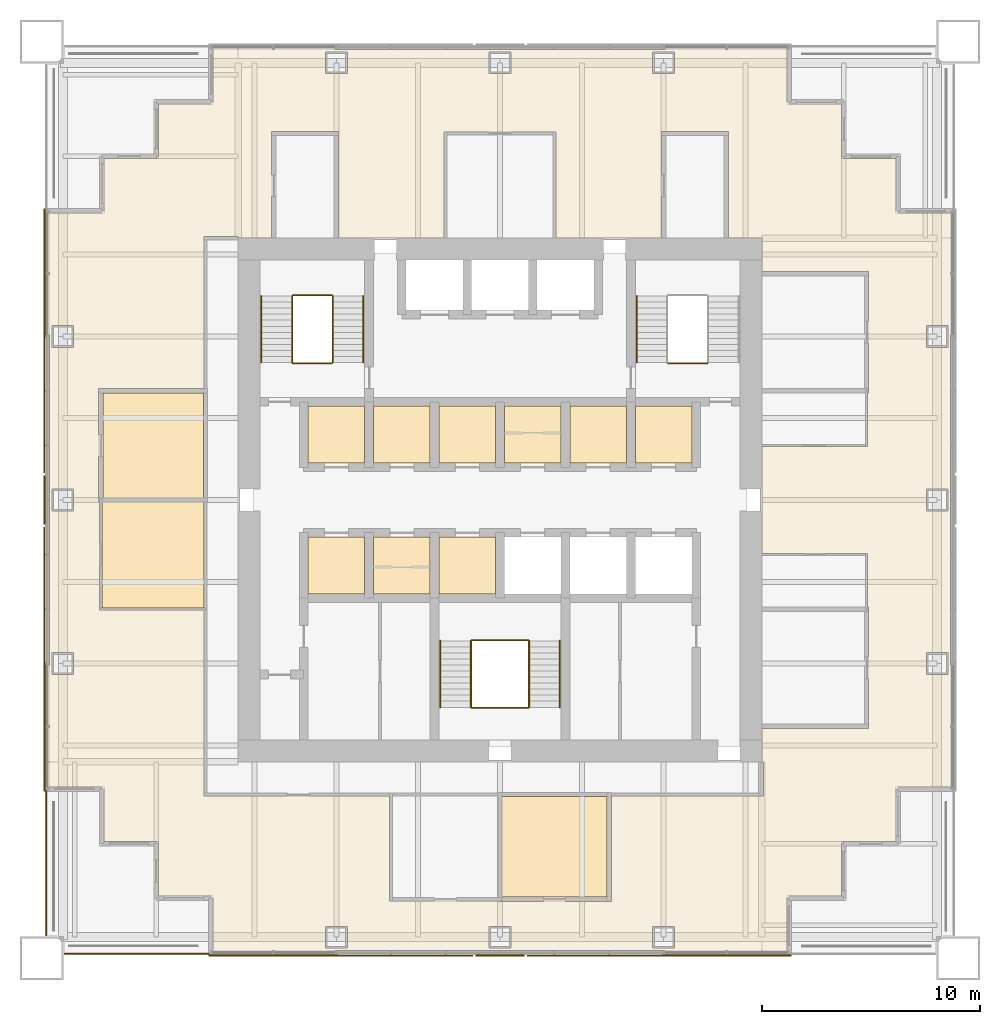
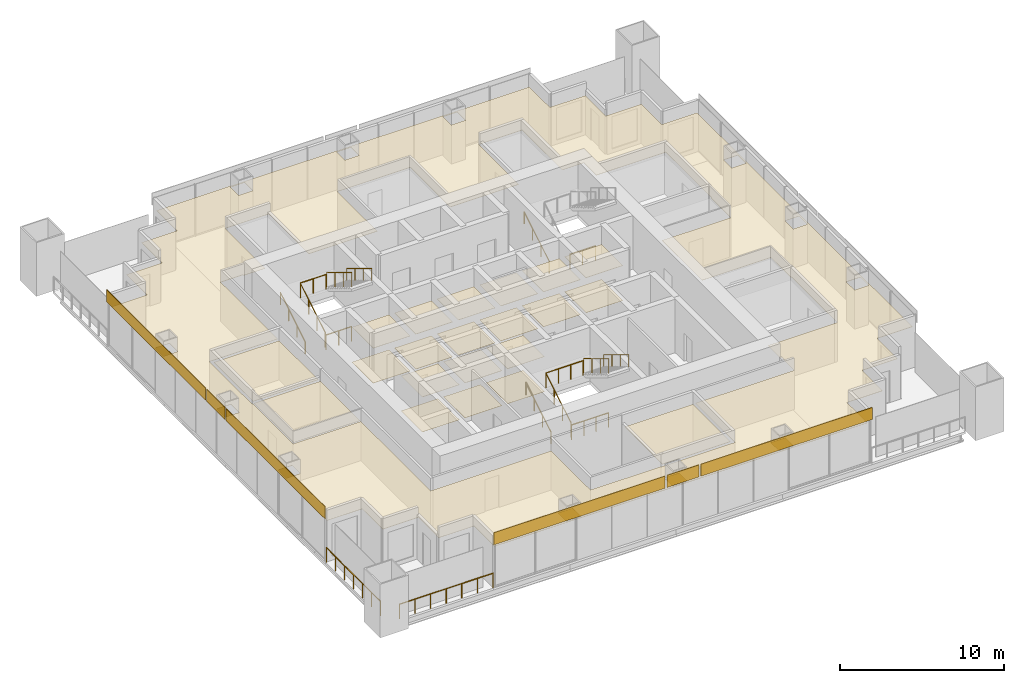
# One storey, part 13 of 14: 28 coverings, 16 railings.
"""IFC4 building model written with IfcOpenShell, lengths in metres."""

from ifc_helpers import new_model, si_unit, direction, frame, origin, origin_2d, place, context, subcontext, project, spatial, polyline, rectangle, circle, outline, extrude, material, layer, layer_set, type_object, element, save


model = new_model("IFC4")

# Units and contexts
model_context = context("Model", 3, precision=1e-05, world=origin(), true_north=direction((0.0, 1.0)))
body_context = subcontext(model_context, "Body", "Model", "MODEL_VIEW")
ifc_project = project(units=[si_unit("LENGTHUNIT", "METRE"), si_unit("AREAUNIT", "SQUARE_METRE"), si_unit("VOLUMEUNIT", "CUBIC_METRE"), si_unit("PLANEANGLEUNIT", "RADIAN"), si_unit("MASSUNIT", "GRAM", prefix="KILO")], contexts=[model_context])

# Site, building, storey
site_placement = place(None, origin())
site = spatial("IfcSite", under=ifc_project, at=site_placement, CompositionType="ELEMENT")
building_placement = place(site_placement, origin())
building = spatial("IfcBuilding", under=site, at=building_placement, Name="Tarangal Relay Tower", CompositionType="ELEMENT")
storey_placement = place(building_placement, frame((0.0, 0.0, 311.89990234375)))
storey = spatial("IfcBuildingStorey", under=building, at=storey_placement, Name="L69", CompositionType="ELEMENT", Elevation=311.89990234375)

# Coverings
ifc_material_1 = material(Name="Anti-static vinyl flooring", Category="plastic")
ifc_layer_1 = layer(ifc_material_1, 0.010009765625)
ifc_layer_set_1 = layer_set([ifc_layer_1], Name="Anti-static vinyl floor")
covering_type_1 = type_object("IfcCoveringType", Name="Anti-static vinyl floor", PredefinedType="FLOORING", material=ifc_layer_set_1)
covering_1_placement = place(storey_placement, origin())
element("IfcCovering", 1, at=covering_1_placement, inside=storey, type_object=covering_type_1, Name="Floor finish FL1 L69-D1", PredefinedType="FLOORING", context=body_context, shape_type="SweptSolid", body=[
    extrude(outline(polyline([(-8.800048828125, 1.699951171875), (-6.199951171875, 1.699951171875), (-6.199951171875, 4.300048828125), (-8.800048828125, 4.300048828125), (-8.800048828125, 1.699951171875)])), origin(), (0.0, 0.0, 1.0), 0.010009765625),
])
covering_2_placement = place(storey_placement, origin())
element("IfcCovering", 2, at=covering_2_placement, inside=storey, type_object=covering_type_1, Name="Floor finish FL1 L69-D2", PredefinedType="FLOORING", context=body_context, shape_type="SweptSolid", body=[
    extrude(outline(polyline([(-5.800048828125, 1.699951171875), (-3.199951171875, 1.699951171875), (-3.199951171875, 4.300048828125), (-5.800048828125, 4.300048828125), (-5.800048828125, 1.699951171875)])), origin(), (0.0, 0.0, 1.0), 0.010009765625),
])
covering_3_placement = place(storey_placement, origin())
element("IfcCovering", 3, at=covering_3_placement, inside=storey, type_object=covering_type_1, Name="Floor finish FL1 L69-D3", PredefinedType="FLOORING", context=body_context, shape_type="SweptSolid", body=[
    extrude(outline(polyline([(-2.800048828125, 1.699951171875), (-0.199951171875, 1.699951171875), (-0.199951171875, 4.300048828125), (-2.800048828125, 4.300048828125), (-2.800048828125, 1.699951171875)])), origin(), (0.0, 0.0, 1.0), 0.010009765625),
])
covering_4_placement = place(storey_placement, origin())
element("IfcCovering", 4, at=covering_4_placement, inside=storey, type_object=covering_type_1, Name="Floor finish FL1 L69-T1", PredefinedType="FLOORING", context=body_context, shape_type="SweptSolid", body=[
    extrude(outline(polyline([(0.199951171875, 1.699951171875), (2.800048828125, 1.699951171875), (2.800048828125, 4.300048828125), (0.199951171875, 4.300048828125), (0.199951171875, 1.699951171875)])), origin(), (0.0, 0.0, 1.0), 0.010009765625),
])
covering_5_placement = place(storey_placement, origin())
element("IfcCovering", 5, at=covering_5_placement, inside=storey, type_object=covering_type_1, Name="Floor finish FL1 L69-T2", PredefinedType="FLOORING", context=body_context, shape_type="SweptSolid", body=[
    extrude(outline(polyline([(3.199951171875, 1.699951171875), (5.800048828125, 1.699951171875), (5.800048828125, 4.300048828125), (3.199951171875, 4.300048828125), (3.199951171875, 1.699951171875)])), origin(), (0.0, 0.0, 1.0), 0.010009765625),
])
covering_6_placement = place(storey_placement, origin())
element("IfcCovering", 6, at=covering_6_placement, inside=storey, type_object=covering_type_1, Name="Floor finish FL1 L69-T3", PredefinedType="FLOORING", context=body_context, shape_type="SweptSolid", body=[
    extrude(outline(polyline([(6.199951171875, 1.699951171875), (8.800048828125, 1.699951171875), (8.800048828125, 4.300048828125), (6.199951171875, 4.300048828125), (6.199951171875, 1.699951171875)])), origin(), (0.0, 0.0, 1.0), 0.010009765625),
])
covering_7_placement = place(storey_placement, origin())
element("IfcCovering", 7, at=covering_7_placement, inside=storey, type_object=covering_type_1, Name="Floor finish FL1 L69-S1", PredefinedType="FLOORING", context=body_context, shape_type="SweptSolid", body=[
    extrude(outline(polyline([(-8.800048828125, -4.300048828125), (-6.199951171875, -4.300048828125), (-6.199951171875, -1.699951171875), (-8.800048828125, -1.699951171875), (-8.800048828125, -4.300048828125)])), origin(), (0.0, 0.0, 1.0), 0.010009765625),
])
covering_8_placement = place(storey_placement, origin())
element("IfcCovering", 8, at=covering_8_placement, inside=storey, type_object=covering_type_1, Name="Floor finish FL1 L69-S2", PredefinedType="FLOORING", context=body_context, shape_type="SweptSolid", body=[
    extrude(outline(polyline([(-5.800048828125, -4.300048828125), (-3.199951171875, -4.300048828125), (-3.199951171875, -1.699951171875), (-5.800048828125, -1.699951171875), (-5.800048828125, -4.300048828125)])), origin(), (0.0, 0.0, 1.0), 0.010009765625),
])
covering_9_placement = place(storey_placement, origin())
element("IfcCovering", 9, at=covering_9_placement, inside=storey, type_object=covering_type_1, Name="Floor finish FL1 L69-S3", PredefinedType="FLOORING", context=body_context, shape_type="SweptSolid", body=[
    extrude(outline(polyline([(-2.800048828125, -4.300048828125), (-0.199951171875, -4.300048828125), (-0.199951171875, -1.699951171875), (-2.800048828125, -1.699951171875), (-2.800048828125, -4.300048828125)])), origin(), (0.0, 0.0, 1.0), 0.010009765625),
])
ifc_material_2 = material(Name="Black anodised aluminium cladding", Category="aluminium")
ifc_layer_2 = layer(ifc_material_2, 0.050048828125)
ifc_layer_set_2 = layer_set([ifc_layer_2], Name="Black metal spandrel band")
covering_type_2 = type_object("IfcCoveringType", Name="Black metal spandrel band", PredefinedType="CLADDING", material=ifc_layer_set_2)
covering_10_placement = place(storey_placement, frame((7.30419921875, -20.875, 3.250244140625), z_axis=(0.0, 0.0, 1.0), x_axis=(-1.0, 0.0, 0.0)))
element("IfcCovering", 10, at=covering_10_placement, inside=storey, type_object=covering_type_2, Name="Spandrel band SB1 S L69", PredefinedType="CLADDING", context=body_context, shape_type="SweptSolid", body=[
    extrude(rectangle(XDim=12.091796875, YDim=0.050048828125, at=origin_2d()), origin(), (0.0, 0.0, 1.0), 0.89990234375),
])
covering_11_placement = place(storey_placement, frame((0.0, -20.875, 3.250244140625), z_axis=(0.0, 0.0, 1.0), x_axis=(-1.0, 0.0, 0.0)))
element("IfcCovering", 11, at=covering_11_placement, inside=storey, type_object=covering_type_2, Name="Spandrel band SB1 S L69", PredefinedType="CLADDING", context=body_context, shape_type="SweptSolid", body=[
    extrude(rectangle(XDim=2.236328125, YDim=0.050048828125, at=origin_2d()), origin(), (0.0, 0.0, 1.0), 0.89990234375),
])
for number, where, z_axis, x_axis, name in (
    (12, (-7.30419921875, -20.875, 3.250244140625), (0.0, 0.0, 1.0), (-1.0, 0.0, 0.0), "Spandrel band SB1 S L69"),
    (13, (-20.875, -7.30419921875, 3.250244140625), (0.0, 0.0, 1.0), (0.0, 1.0, 0.0), "Spandrel band SB1 W L69"),
):
    element("IfcCovering", number, at=place(storey_placement, frame(where, z_axis=z_axis, x_axis=x_axis)), inside=storey, type_object=covering_type_2, Name=name, PredefinedType="CLADDING", context=body_context, shape_type="SweptSolid", body=[
        extrude(rectangle(XDim=12.091796875, YDim=0.050048828125, at=origin_2d()), origin(), (0.0, 0.0, 1.0), 0.89990234375),
    ])
covering_12_placement = place(storey_placement, frame((-20.875, 0.0, 3.250244140625), z_axis=(0.0, 0.0, 1.0), x_axis=(0.0, 1.0, 0.0)))
element("IfcCovering", 14, at=covering_12_placement, inside=storey, type_object=covering_type_2, Name="Spandrel band SB1 W L69", PredefinedType="CLADDING", context=body_context, shape_type="SweptSolid", body=[
    extrude(rectangle(XDim=2.236328125, YDim=0.050048828125, at=origin_2d()), origin(), (0.0, 0.0, 1.0), 0.89990234375),
])
covering_13_placement = place(storey_placement, frame((-20.875, 7.30419921875, 3.250244140625), z_axis=(0.0, 0.0, 1.0), x_axis=(0.0, 1.0, 0.0)))
element("IfcCovering", 15, at=covering_13_placement, inside=storey, type_object=covering_type_2, Name="Spandrel band SB1 W L69", PredefinedType="CLADDING", context=body_context, shape_type="SweptSolid", body=[
    extrude(rectangle(XDim=12.091796875, YDim=0.050048828125, at=origin_2d()), origin(), (0.0, 0.0, 1.0), 0.89990234375),
])

# Railings
ifc_material_3 = material(Name="Steel guard, black finish", Category="steel")
railing_type_1 = type_object("IfcRailingType", Name="Stair guard 1100", PredefinedType="GUARDRAIL", material=ifc_material_3)
railing_1_placement = place(storey_placement, frame((-9.530029296875, 6.300048828125, 0.166748046875)))
element("IfcRailing", 16, at=railing_1_placement, inside=storey, type_object=railing_type_1, Name="Stair ST-A guard GR1 L69 flight 1", PredefinedType="GUARDRAIL", context=body_context, shape_type="SweptSolid", body=[
    extrude(circle(Radius=0.02392578125, at=origin_2d()), frame((0.0, 0.0, 1.076171875), z_axis=(0.0, 0.85685617095, 0.515555527858), x_axis=(-1.0, 0.0, 0.0)), (0.0, 0.0, 1.0), 3.555908203125),
    extrude(circle(Radius=0.02099609375, at=origin_2d()), origin(), (0.0, 0.0, 1.0), 1.052001953125),
    extrude(circle(Radius=0.02099609375, at=origin_2d()), frame((0.0, 1.015625, 0.611083984375)), (0.0, 0.0, 1.0), 1.052001953125),
    extrude(circle(Radius=0.02099609375, at=origin_2d()), frame((0.0, 2.03125, 1.22216796875)), (0.0, 0.0, 1.0), 1.052001953125),
    extrude(circle(Radius=0.02099609375, at=origin_2d()), frame((0.0, 3.046875, 1.833251953125)), (0.0, 0.0, 1.0), 1.052001953125),
])
railing_2_placement = place(storey_placement, frame((-7.669921875, 9.346923828125, 2.166748046875)))
element("IfcRailing", 17, at=railing_2_placement, inside=storey, type_object=railing_type_1, Name="Stair ST-A guard GR1 L69 flight 2", PredefinedType="GUARDRAIL", context=body_context, shape_type="SweptSolid", body=[
    extrude(circle(Radius=0.02392578125, at=origin_2d()), frame((0.0, 0.0, 1.076171875), z_axis=(0.0, -0.85685617095, 0.515555527858), x_axis=(1.0, 0.0, 0.0)), (0.0, 0.0, 1.0), 3.555908203125),
    extrude(circle(Radius=0.02099609375, at=origin_2d()), origin(), (0.0, 0.0, 1.0), 1.052001953125),
    extrude(circle(Radius=0.02099609375, at=origin_2d()), frame((0.0, -1.015625, 0.611083984375)), (0.0, 0.0, 1.0), 1.052001953125),
    extrude(circle(Radius=0.02099609375, at=origin_2d()), frame((0.0, -2.03125, 1.22216796875)), (0.0, 0.0, 1.0), 1.052001953125),
    extrude(circle(Radius=0.02099609375, at=origin_2d()), frame((0.0, -3.046875, 1.833251953125)), (0.0, 0.0, 1.0), 1.052001953125),
])
for number, where, name in (
    (18, (-9.5, 6.27001953125, 0.0), "Stair ST-A landing guard GR1 L69"),
    (19, (-9.5, 9.376953125, 2.0), "Stair ST-A landing guard GR1 L69"),
    (20, (7.699951171875, 6.27001953125, 0.0), "Stair ST-B landing guard GR1 L69"),
):
    element("IfcRailing", number, at=place(storey_placement, frame(where)), inside=storey, type_object=railing_type_1, Name=name, PredefinedType="GUARDRAIL", context=body_context, shape_type="SweptSolid", body=[
        extrude(circle(Radius=0.02392578125, at=origin_2d()), frame((0.0, 0.0, 1.076171875), z_axis=(1.0, 0.0, 0.0), x_axis=(0.0, 1.0, 0.0)), (0.0, 0.0, 1.0), 1.800048828125),
        extrude(circle(Radius=0.02099609375, at=origin_2d()), origin(), (0.0, 0.0, 1.0), 1.052001953125),
        extrude(circle(Radius=0.02099609375, at=origin_2d()), frame((0.89990234375, 0.0, 0.0)), (0.0, 0.0, 1.0), 1.052001953125),
        extrude(circle(Radius=0.02099609375, at=origin_2d()), frame((1.800048828125, 0.0, 0.0)), (0.0, 0.0, 1.0), 1.052001953125),
    ])
railing_3_placement = place(storey_placement, frame((-1.330078125, -9.5, 0.166748046875)))
element("IfcRailing", 21, at=railing_3_placement, inside=storey, type_object=railing_type_1, Name="Stair ST-C guard GR1 L69 flight 1", PredefinedType="GUARDRAIL", context=body_context, shape_type="SweptSolid", body=[
    extrude(circle(Radius=0.02392578125, at=origin_2d()), frame((0.0, 0.0, 1.076171875), z_axis=(0.0, 0.856874418557, 0.515525199018), x_axis=(-1.0, 0.0, 0.0)), (0.0, 0.0, 1.0), 3.55615234375),
    extrude(circle(Radius=0.02099609375, at=origin_2d()), origin(), (0.0, 0.0, 1.0), 1.052001953125),
    extrude(circle(Radius=0.02099609375, at=origin_2d()), frame((0.0, 1.015625, 0.611083984375)), (0.0, 0.0, 1.0), 1.052001953125),
    extrude(circle(Radius=0.02099609375, at=origin_2d()), frame((0.0, 2.031494140625, 1.22216796875)), (0.0, 0.0, 1.0), 1.052001953125),
    extrude(circle(Radius=0.02099609375, at=origin_2d()), frame((0.0, 3.047119140625, 1.833251953125)), (0.0, 0.0, 1.0), 1.052001953125),
])
railing_4_placement = place(storey_placement, frame((1.330078125, -6.452880859375, 2.166748046875)))
element("IfcRailing", 22, at=railing_4_placement, inside=storey, type_object=railing_type_1, Name="Stair ST-C guard GR1 L69 flight 2", PredefinedType="GUARDRAIL", context=body_context, shape_type="SweptSolid", body=[
    extrude(circle(Radius=0.02392578125, at=origin_2d()), frame((0.0, 0.0, 1.076171875), z_axis=(0.0, -0.856874418557, 0.515525199018), x_axis=(1.0, 0.0, 0.0)), (0.0, 0.0, 1.0), 3.55615234375),
    extrude(circle(Radius=0.02099609375, at=origin_2d()), origin(), (0.0, 0.0, 1.0), 1.052001953125),
    extrude(circle(Radius=0.02099609375, at=origin_2d()), frame((0.0, -1.015625, 0.611083984375)), (0.0, 0.0, 1.0), 1.052001953125),
    extrude(circle(Radius=0.02099609375, at=origin_2d()), frame((0.0, -2.031494140625, 1.22216796875)), (0.0, 0.0, 1.0), 1.052001953125),
    extrude(circle(Radius=0.02099609375, at=origin_2d()), frame((0.0, -3.047119140625, 1.833251953125)), (0.0, 0.0, 1.0), 1.052001953125),
])
for number, where, name in (
    (23, (-1.300048828125, -9.530029296875, 0.0), "Stair ST-C landing guard GR1 L69"),
    (24, (-1.300048828125, -6.423095703125, 2.0), "Stair ST-C landing guard GR1 L69"),
):
    element("IfcRailing", number, at=place(storey_placement, frame(where)), inside=storey, type_object=railing_type_1, Name=name, PredefinedType="GUARDRAIL", context=body_context, shape_type="SweptSolid", body=[
        extrude(circle(Radius=0.02392578125, at=origin_2d()), frame((0.0, 0.0, 1.076171875), z_axis=(1.0, 0.0, 0.0), x_axis=(0.0, 1.0, 0.0)), (0.0, 0.0, 1.0), 2.60009765625),
        extrude(circle(Radius=0.02099609375, at=origin_2d()), origin(), (0.0, 0.0, 1.0), 1.052001953125),
        extrude(circle(Radius=0.02099609375, at=origin_2d()), frame((0.86669921875, 0.0, 0.0)), (0.0, 0.0, 1.0), 1.052001953125),
        extrude(circle(Radius=0.02099609375, at=origin_2d()), frame((1.7333984375, 0.0, 0.0)), (0.0, 0.0, 1.0), 1.052001953125),
        extrude(circle(Radius=0.02099609375, at=origin_2d()), frame((2.60009765625, 0.0, 0.0)), (0.0, 0.0, 1.0), 1.052001953125),
    ])
ifc_material_4 = material(Name="Steel handrail, black finish", Category="steel")
railing_type_2 = type_object("IfcRailingType", Name="Stair handrail 900", PredefinedType="HANDRAIL", material=ifc_material_4)
railing_5_placement = place(storey_placement, frame((-10.93994140625, 6.300048828125, 0.166748046875)))
element("IfcRailing", 25, at=railing_5_placement, inside=storey, type_object=railing_type_2, Name="Stair ST-A handrail HR1 L69 flight 1", PredefinedType="HANDRAIL", context=body_context, shape_type="SweptSolid", body=[
    extrude(circle(Radius=0.02392578125, at=origin_2d()), frame((0.0, 0.0, 0.8759765625), z_axis=(0.0, 0.85685617095, 0.515555527858), x_axis=(-1.0, 0.0, 0.0)), (0.0, 0.0, 1.0), 3.555908203125),
    extrude(circle(Radius=0.02099609375, at=origin_2d()), origin(), (0.0, 0.0, 1.0), 0.851806640625),
    extrude(circle(Radius=0.02099609375, at=origin_2d()), frame((0.0, 1.015625, 0.611083984375)), (0.0, 0.0, 1.0), 0.851806640625),
    extrude(circle(Radius=0.02099609375, at=origin_2d()), frame((0.0, 2.03125, 1.22216796875)), (0.0, 0.0, 1.0), 0.851806640625),
    extrude(circle(Radius=0.02099609375, at=origin_2d()), frame((0.0, 3.046875, 1.833251953125)), (0.0, 0.0, 1.0), 0.851806640625),
])
railing_6_placement = place(storey_placement, frame((-6.260009765625, 9.346923828125, 2.166748046875)))
element("IfcRailing", 26, at=railing_6_placement, inside=storey, type_object=railing_type_2, Name="Stair ST-A handrail HR1 L69 flight 2", PredefinedType="HANDRAIL", context=body_context, shape_type="SweptSolid", body=[
    extrude(circle(Radius=0.02392578125, at=origin_2d()), frame((0.0, 0.0, 0.8759765625), z_axis=(0.0, -0.85685617095, 0.515555527858), x_axis=(1.0, 0.0, 0.0)), (0.0, 0.0, 1.0), 3.555908203125),
    extrude(circle(Radius=0.02099609375, at=origin_2d()), origin(), (0.0, 0.0, 1.0), 0.851806640625),
    extrude(circle(Radius=0.02099609375, at=origin_2d()), frame((0.0, -1.015625, 0.611083984375)), (0.0, 0.0, 1.0), 0.851806640625),
    extrude(circle(Radius=0.02099609375, at=origin_2d()), frame((0.0, -2.03125, 1.22216796875)), (0.0, 0.0, 1.0), 0.851806640625),
    extrude(circle(Radius=0.02099609375, at=origin_2d()), frame((0.0, -3.046875, 1.833251953125)), (0.0, 0.0, 1.0), 0.851806640625),
])
railing_7_placement = place(storey_placement, frame((6.260009765625, 6.300048828125, 0.166748046875)))
element("IfcRailing", 27, at=railing_7_placement, inside=storey, type_object=railing_type_2, Name="Stair ST-B handrail HR1 L69 flight 1", PredefinedType="HANDRAIL", context=body_context, shape_type="SweptSolid", body=[
    extrude(circle(Radius=0.02392578125, at=origin_2d()), frame((0.0, 0.0, 0.8759765625), z_axis=(0.0, 0.85685617095, 0.515555527858), x_axis=(-1.0, 0.0, 0.0)), (0.0, 0.0, 1.0), 3.555908203125),
    extrude(circle(Radius=0.02099609375, at=origin_2d()), origin(), (0.0, 0.0, 1.0), 0.851806640625),
    extrude(circle(Radius=0.02099609375, at=origin_2d()), frame((0.0, 1.015625, 0.611083984375)), (0.0, 0.0, 1.0), 0.851806640625),
    extrude(circle(Radius=0.02099609375, at=origin_2d()), frame((0.0, 2.03125, 1.22216796875)), (0.0, 0.0, 1.0), 0.851806640625),
    extrude(circle(Radius=0.02099609375, at=origin_2d()), frame((0.0, 3.046875, 1.833251953125)), (0.0, 0.0, 1.0), 0.851806640625),
])
railing_8_placement = place(storey_placement, frame((-2.739990234375, -9.5, 0.166748046875)))
element("IfcRailing", 28, at=railing_8_placement, inside=storey, type_object=railing_type_2, Name="Stair ST-C handrail HR1 L69 flight 1", PredefinedType="HANDRAIL", context=body_context, shape_type="SweptSolid", body=[
    extrude(circle(Radius=0.02392578125, at=origin_2d()), frame((0.0, 0.0, 0.8759765625), z_axis=(0.0, 0.856874418557, 0.515525199018), x_axis=(-1.0, 0.0, 0.0)), (0.0, 0.0, 1.0), 3.55615234375),
    extrude(circle(Radius=0.02099609375, at=origin_2d()), origin(), (0.0, 0.0, 1.0), 0.851806640625),
    extrude(circle(Radius=0.02099609375, at=origin_2d()), frame((0.0, 1.015625, 0.611083984375)), (0.0, 0.0, 1.0), 0.851806640625),
    extrude(circle(Radius=0.02099609375, at=origin_2d()), frame((0.0, 2.031494140625, 1.22216796875)), (0.0, 0.0, 1.0), 0.851806640625),
    extrude(circle(Radius=0.02099609375, at=origin_2d()), frame((0.0, 3.047119140625, 1.833251953125)), (0.0, 0.0, 1.0), 0.851806640625),
])
railing_9_placement = place(storey_placement, frame((2.739990234375, -6.452880859375, 2.166748046875)))
element("IfcRailing", 29, at=railing_9_placement, inside=storey, type_object=railing_type_2, Name="Stair ST-C handrail HR1 L69 flight 2", PredefinedType="HANDRAIL", context=body_context, shape_type="SweptSolid", body=[
    extrude(circle(Radius=0.02392578125, at=origin_2d()), frame((0.0, 0.0, 0.8759765625), z_axis=(0.0, -0.856874418557, 0.515525199018), x_axis=(1.0, 0.0, 0.0)), (0.0, 0.0, 1.0), 3.55615234375),
    extrude(circle(Radius=0.02099609375, at=origin_2d()), origin(), (0.0, 0.0, 1.0), 0.851806640625),
    extrude(circle(Radius=0.02099609375, at=origin_2d()), frame((0.0, -1.015625, 0.611083984375)), (0.0, 0.0, 1.0), 0.851806640625),
    extrude(circle(Radius=0.02099609375, at=origin_2d()), frame((0.0, -2.031494140625, 1.22216796875)), (0.0, 0.0, 1.0), 0.851806640625),
    extrude(circle(Radius=0.02099609375, at=origin_2d()), frame((0.0, -3.047119140625, 1.833251953125)), (0.0, 0.0, 1.0), 0.851806640625),
])

# Coverings
ifc_material_5 = material(Name="Mineral fibre ceiling tiles", Category="gypsum")
ifc_layer_3 = layer(ifc_material_5, 0.02001953125)
ifc_layer_set_3 = layer_set([ifc_layer_3], Name="Suspended ceiling")
covering_type_3 = type_object("IfcCoveringType", Name="Suspended ceiling", PredefinedType="CEILING", material=ifc_layer_set_3)
covering_14_placement = place(storey_placement, frame((0.0, 0.0, 2.60009765625)))
element("IfcCovering", 30, at=covering_14_placement, inside=storey, type_object=covering_type_3, Name="Suspended ceiling CL1 L69-D1", PredefinedType="CEILING", context=body_context, shape_type="SweptSolid", body=[
    extrude(outline(polyline([(-8.800048828125, 1.699951171875), (-6.199951171875, 1.699951171875), (-6.199951171875, 4.300048828125), (-8.800048828125, 4.300048828125), (-8.800048828125, 1.699951171875)])), origin(), (0.0, 0.0, 1.0), 0.02001953125),
])
covering_15_placement = place(storey_placement, frame((0.0, 0.0, 2.60009765625)))
element("IfcCovering", 31, at=covering_15_placement, inside=storey, type_object=covering_type_3, Name="Suspended ceiling CL1 L69-D2", PredefinedType="CEILING", context=body_context, shape_type="SweptSolid", body=[
    extrude(outline(polyline([(-5.800048828125, 1.699951171875), (-3.199951171875, 1.699951171875), (-3.199951171875, 4.300048828125), (-5.800048828125, 4.300048828125), (-5.800048828125, 1.699951171875)])), origin(), (0.0, 0.0, 1.0), 0.02001953125),
])
covering_16_placement = place(storey_placement, frame((0.0, 0.0, 2.60009765625)))
element("IfcCovering", 32, at=covering_16_placement, inside=storey, type_object=covering_type_3, Name="Suspended ceiling CL1 L69-D3", PredefinedType="CEILING", context=body_context, shape_type="SweptSolid", body=[
    extrude(outline(polyline([(-2.800048828125, 1.699951171875), (-0.199951171875, 1.699951171875), (-0.199951171875, 4.300048828125), (-2.800048828125, 4.300048828125), (-2.800048828125, 1.699951171875)])), origin(), (0.0, 0.0, 1.0), 0.02001953125),
])
covering_17_placement = place(storey_placement, frame((0.0, 0.0, 2.60009765625)))
element("IfcCovering", 33, at=covering_17_placement, inside=storey, type_object=covering_type_3, Name="Suspended ceiling CL1 L69-T1", PredefinedType="CEILING", context=body_context, shape_type="SweptSolid", body=[
    extrude(outline(polyline([(0.199951171875, 1.699951171875), (2.800048828125, 1.699951171875), (2.800048828125, 4.300048828125), (0.199951171875, 4.300048828125), (0.199951171875, 1.699951171875)])), origin(), (0.0, 0.0, 1.0), 0.02001953125),
])
covering_18_placement = place(storey_placement, frame((0.0, 0.0, 2.60009765625)))
element("IfcCovering", 34, at=covering_18_placement, inside=storey, type_object=covering_type_3, Name="Suspended ceiling CL1 L69-T2", PredefinedType="CEILING", context=body_context, shape_type="SweptSolid", body=[
    extrude(outline(polyline([(3.199951171875, 1.699951171875), (5.800048828125, 1.699951171875), (5.800048828125, 4.300048828125), (3.199951171875, 4.300048828125), (3.199951171875, 1.699951171875)])), origin(), (0.0, 0.0, 1.0), 0.02001953125),
])
covering_19_placement = place(storey_placement, frame((0.0, 0.0, 2.60009765625)))
element("IfcCovering", 35, at=covering_19_placement, inside=storey, type_object=covering_type_3, Name="Suspended ceiling CL1 L69-T3", PredefinedType="CEILING", context=body_context, shape_type="SweptSolid", body=[
    extrude(outline(polyline([(6.199951171875, 1.699951171875), (8.800048828125, 1.699951171875), (8.800048828125, 4.300048828125), (6.199951171875, 4.300048828125), (6.199951171875, 1.699951171875)])), origin(), (0.0, 0.0, 1.0), 0.02001953125),
])
covering_20_placement = place(storey_placement, frame((0.0, 0.0, 2.60009765625)))
element("IfcCovering", 36, at=covering_20_placement, inside=storey, type_object=covering_type_3, Name="Suspended ceiling CL1 L69-S1", PredefinedType="CEILING", context=body_context, shape_type="SweptSolid", body=[
    extrude(outline(polyline([(-8.800048828125, -4.300048828125), (-6.199951171875, -4.300048828125), (-6.199951171875, -1.699951171875), (-8.800048828125, -1.699951171875), (-8.800048828125, -4.300048828125)])), origin(), (0.0, 0.0, 1.0), 0.02001953125),
])
covering_21_placement = place(storey_placement, frame((0.0, 0.0, 2.60009765625)))
element("IfcCovering", 37, at=covering_21_placement, inside=storey, type_object=covering_type_3, Name="Suspended ceiling CL1 L69-S2", PredefinedType="CEILING", context=body_context, shape_type="SweptSolid", body=[
    extrude(outline(polyline([(-5.800048828125, -4.300048828125), (-3.199951171875, -4.300048828125), (-3.199951171875, -1.699951171875), (-5.800048828125, -1.699951171875), (-5.800048828125, -4.300048828125)])), origin(), (0.0, 0.0, 1.0), 0.02001953125),
])
covering_22_placement = place(storey_placement, frame((0.0, 0.0, 2.60009765625)))
element("IfcCovering", 38, at=covering_22_placement, inside=storey, type_object=covering_type_3, Name="Suspended ceiling CL1 L69-S3", PredefinedType="CEILING", context=body_context, shape_type="SweptSolid", body=[
    extrude(outline(polyline([(-2.800048828125, -4.300048828125), (-0.199951171875, -4.300048828125), (-0.199951171875, -1.699951171875), (-2.800048828125, -1.699951171875), (-2.800048828125, -4.300048828125)])), origin(), (0.0, 0.0, 1.0), 0.02001953125),
])
covering_23_placement = place(storey_placement, frame((0.0, 0.0, 2.900146484375)))
element("IfcCovering", 39, at=covering_23_placement, inside=storey, type_object=covering_type_3, Name="Suspended ceiling CL1 L69-09", PredefinedType="CEILING", context=body_context, shape_type="SweptSolid", body=[
    extrude(outline(polyline([(0.10009765625, -18.199951171875), (4.89990234375, -18.199951171875), (4.89990234375, -13.60009765625), (0.10009765625, -13.60009765625), (0.10009765625, -18.199951171875)])), origin(), (0.0, 0.0, 1.0), 0.02001953125),
])
covering_24_placement = place(storey_placement, frame((0.0, 0.0, 2.900146484375)))
element("IfcCovering", 40, at=covering_24_placement, inside=storey, type_object=covering_type_3, Name="Suspended ceiling CL1 L69-11", PredefinedType="CEILING", context=body_context, shape_type="SweptSolid", body=[
    extrude(outline(polyline([(-13.574951171875, -4.949951171875), (-13.574951171875, -0.10009765625), (-18.25, -0.10009765625), (-18.25, -4.949951171875), (-13.574951171875, -4.949951171875)])), origin(), (0.0, 0.0, 1.0), 0.02001953125),
])
covering_25_placement = place(storey_placement, frame((0.0, 0.0, 2.900146484375)))
element("IfcCovering", 41, at=covering_25_placement, inside=storey, type_object=covering_type_3, Name="Suspended ceiling CL1 L69-12", PredefinedType="CEILING", context=body_context, shape_type="SweptSolid", body=[
    extrude(outline(polyline([(-13.60009765625, 4.89990234375), (-18.199951171875, 4.89990234375), (-18.199951171875, 0.10009765625), (-13.60009765625, 0.10009765625), (-13.60009765625, 4.89990234375)])), origin(), (0.0, 0.0, 1.0), 0.02001953125),
])
covering_26_placement = place(storey_placement, frame((0.0, 0.0, 2.900146484375)))
element("IfcCovering", 42, at=covering_26_placement, inside=storey, type_object=covering_type_3, Name="Suspended ceiling CL1 L69-13", PredefinedType="CEILING", context=body_context, shape_type="SweptSolid", body=[
    extrude(outline(polyline([(18.14990234375, 15.64990234375), (15.64990234375, 15.64990234375), (15.64990234375, 18.14990234375), (13.14990234375, 18.14990234375), (13.14990234375, 20.64990234375), (-13.14990234375, 20.64990234375), (-13.14990234375, 18.14990234375), (-15.64990234375, 18.14990234375), (-15.64990234375, 15.64990234375), (-18.14990234375, 15.64990234375), (-18.14990234375, 13.14990234375), (-20.64990234375, 13.14990234375), (-20.64990234375, -13.14990234375), (-18.14990234375, -13.14990234375), (-18.14990234375, -15.64990234375), (-15.64990234375, -15.64990234375), (-15.64990234375, -18.14990234375), (-13.14990234375, -18.14990234375), (-13.14990234375, -20.64990234375), (13.14990234375, -20.64990234375), (13.14990234375, -18.14990234375), (15.64990234375, -18.14990234375), (15.64990234375, -15.64990234375), (18.14990234375, -15.64990234375), (18.14990234375, -13.14990234375), (20.64990234375, -13.14990234375), (20.64990234375, 13.14990234375), (18.14990234375, 13.14990234375), (18.14990234375, 15.64990234375)]), holes=[polyline([(-12.0, 12.074951171875), (-13.574951171875, 12.074951171875), (-13.574951171875, 5.10009765625), (-18.39990234375, 5.10009765625), (-18.39990234375, -0.10009765625), (-18.35009765625, -0.10009765625), (-18.35009765625, -5.050048828125), (-13.574951171875, -5.050048828125), (-13.574951171875, -13.574951171875), (-5.074951171875, -13.574951171875), (-5.074951171875, -18.375), (-0.10009765625, -18.375), (-0.10009765625, -18.39990234375), (5.10009765625, -18.39990234375), (5.10009765625, -13.574951171875), (12.074951171875, -13.574951171875), (12.074951171875, -12.0), (12.0, -12.0), (12.0, -10.47509765625), (16.89990234375, -10.47509765625), (16.89990234375, -4.89990234375), (16.85009765625, -4.89990234375), (16.85009765625, -2.449951171875), (12.0, -2.449951171875), (12.0, 2.449951171875), (16.85009765625, 2.449951171875), (16.85009765625, 4.89990234375), (16.89990234375, 4.89990234375), (16.89990234375, 10.47509765625), (12.0, 10.47509765625), (12.0, 12.0), (10.47509765625, 12.0), (10.47509765625, 16.89990234375), (7.39990234375, 16.89990234375), (7.39990234375, 12.0), (2.574951171875, 12.0), (2.574951171875, 16.875), (-2.574951171875, 16.875), (-2.574951171875, 12.0), (-7.39990234375, 12.0), (-7.39990234375, 16.89990234375), (-10.47509765625, 16.89990234375), (-10.47509765625, 12.0), (-12.0, 12.0), (-12.0, 12.074951171875)]), polyline([(-8.0, -19.5400390625), (-8.0, -20.5400390625), (-7.0, -20.5400390625), (-7.0, -19.5400390625), (-8.0, -19.5400390625)]), polyline([(-19.5400390625, -7.0), (-20.5400390625, -7.0), (-20.5400390625, -8.0), (-19.5400390625, -8.0), (-19.5400390625, -7.0)]), polyline([(-19.5400390625, 0.5), (-20.5400390625, 0.5), (-20.5400390625, -0.5), (-19.5400390625, -0.5), (-19.5400390625, 0.5)]), polyline([(-20.5400390625, 8.0), (-20.5400390625, 7.0), (-19.5400390625, 7.0), (-19.5400390625, 8.0), (-20.5400390625, 8.0)]), polyline([(-7.0, 20.5400390625), (-8.0, 20.5400390625), (-8.0, 19.5400390625), (-7.0, 19.5400390625), (-7.0, 20.5400390625)]), polyline([(0.5, 20.5400390625), (-0.5, 20.5400390625), (-0.5, 19.5400390625), (0.5, 19.5400390625), (0.5, 20.5400390625)]), polyline([(-0.5, -19.5400390625), (-0.5, -20.5400390625), (0.5, -20.5400390625), (0.5, -19.5400390625), (-0.5, -19.5400390625)]), polyline([(8.0, -19.5400390625), (7.0, -19.5400390625), (7.0, -20.5400390625), (8.0, -20.5400390625), (8.0, -19.5400390625)]), polyline([(20.5400390625, -7.0), (19.5400390625, -7.0), (19.5400390625, -8.0), (20.5400390625, -8.0), (20.5400390625, -7.0)]), polyline([(19.5400390625, 0.5), (19.5400390625, -0.5), (20.5400390625, -0.5), (20.5400390625, 0.5), (19.5400390625, 0.5)]), polyline([(20.5400390625, 8.0), (19.5400390625, 8.0), (19.5400390625, 7.0), (20.5400390625, 7.0), (20.5400390625, 8.0)]), polyline([(8.0, 20.5400390625), (7.0, 20.5400390625), (7.0, 19.5400390625), (8.0, 19.5400390625), (8.0, 20.5400390625)])]), origin(), (0.0, 0.0, 1.0), 0.02001953125),
])

# Railings
ifc_material_6 = material(Name="Black steel guard with glass infill", Category="steel")
railing_type_3 = type_object("IfcRailingType", Name="Terrace guard 1100", PredefinedType="GUARDRAIL", material=ifc_material_6)
railing_10_placement = place(storey_placement, frame((-13.35009765625, -20.800048828125, 0.0)))
element("IfcRailing", 43, at=railing_10_placement, inside=storey, type_object=railing_type_3, Name="Terrace guard GR2 SW L69", PredefinedType="GUARDRAIL", context=body_context, shape_type="SweptSolid", body=[
    extrude(circle(Radius=0.02392578125, at=origin_2d()), frame((0.0, 0.0, 1.076171875), z_axis=(-1.0, 0.0, 0.0), x_axis=(0.0, -1.0, 0.0)), (0.0, 0.0, 1.0), 6.599853515625),
    extrude(circle(Radius=0.02099609375, at=origin_2d()), origin(), (0.0, 0.0, 1.0), 1.052001953125),
    extrude(circle(Radius=0.02099609375, at=origin_2d()), frame((-1.10009765625, 0.0, 0.0)), (0.0, 0.0, 1.0), 1.052001953125),
    extrude(circle(Radius=0.02099609375, at=origin_2d()), frame((-2.199951171875, 0.0, 0.0)), (0.0, 0.0, 1.0), 1.052001953125),
    extrude(circle(Radius=0.02099609375, at=origin_2d()), frame((-3.2998046875, 0.0, 0.0)), (0.0, 0.0, 1.0), 1.052001953125),
    extrude(circle(Radius=0.02099609375, at=origin_2d()), frame((-4.39990234375, 0.0, 0.0)), (0.0, 0.0, 1.0), 1.052001953125),
    extrude(circle(Radius=0.02099609375, at=origin_2d()), frame((-5.5, 0.0, 0.0)), (0.0, 0.0, 1.0), 1.052001953125),
    extrude(circle(Radius=0.02099609375, at=origin_2d()), frame((-6.599853515625, 0.0, 0.0)), (0.0, 0.0, 1.0), 1.052001953125),
])
railing_11_placement = place(storey_placement, frame((-20.800048828125, -19.949951171875, 0.0)))
element("IfcRailing", 44, at=railing_11_placement, inside=storey, type_object=railing_type_3, Name="Terrace guard GR2 SW L69", PredefinedType="GUARDRAIL", context=body_context, shape_type="SweptSolid", body=[
    extrude(circle(Radius=0.02392578125, at=origin_2d()), frame((0.0, 0.0, 1.076171875), z_axis=(0.0, 1.0, 0.0), x_axis=(-1.0, 0.0, 0.0)), (0.0, 0.0, 1.0), 6.599853515625),
    extrude(circle(Radius=0.02099609375, at=origin_2d()), origin(), (0.0, 0.0, 1.0), 1.052001953125),
    extrude(circle(Radius=0.02099609375, at=origin_2d()), frame((0.0, 1.10009765625, 0.0)), (0.0, 0.0, 1.0), 1.052001953125),
    extrude(circle(Radius=0.02099609375, at=origin_2d()), frame((0.0, 2.199951171875, 0.0)), (0.0, 0.0, 1.0), 1.052001953125),
    extrude(circle(Radius=0.02099609375, at=origin_2d()), frame((0.0, 3.2998046875, 0.0)), (0.0, 0.0, 1.0), 1.052001953125),
    extrude(circle(Radius=0.02099609375, at=origin_2d()), frame((0.0, 4.39990234375, 0.0)), (0.0, 0.0, 1.0), 1.052001953125),
    extrude(circle(Radius=0.02099609375, at=origin_2d()), frame((0.0, 5.5, 0.0)), (0.0, 0.0, 1.0), 1.052001953125),
    extrude(circle(Radius=0.02099609375, at=origin_2d()), frame((0.0, 6.599853515625, 0.0)), (0.0, 0.0, 1.0), 1.052001953125),
])

save(model, "model.ifc")
